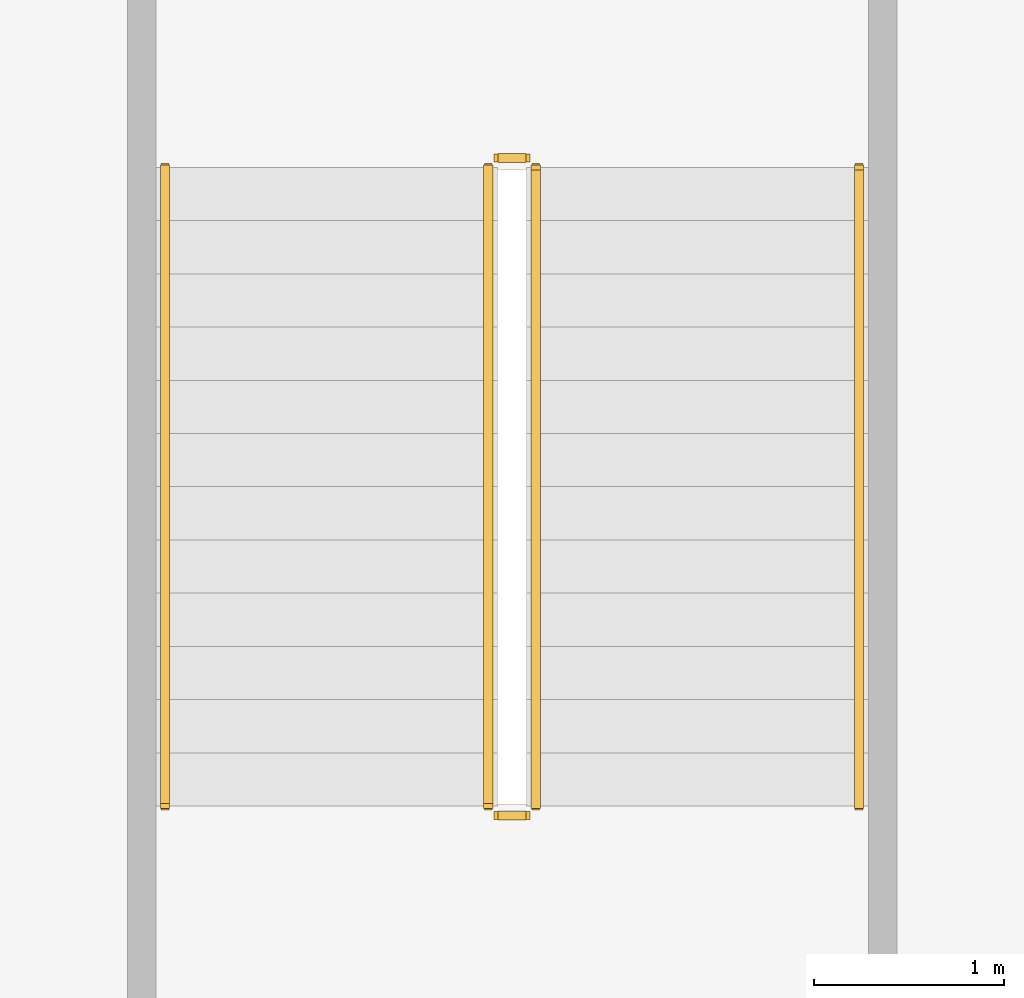
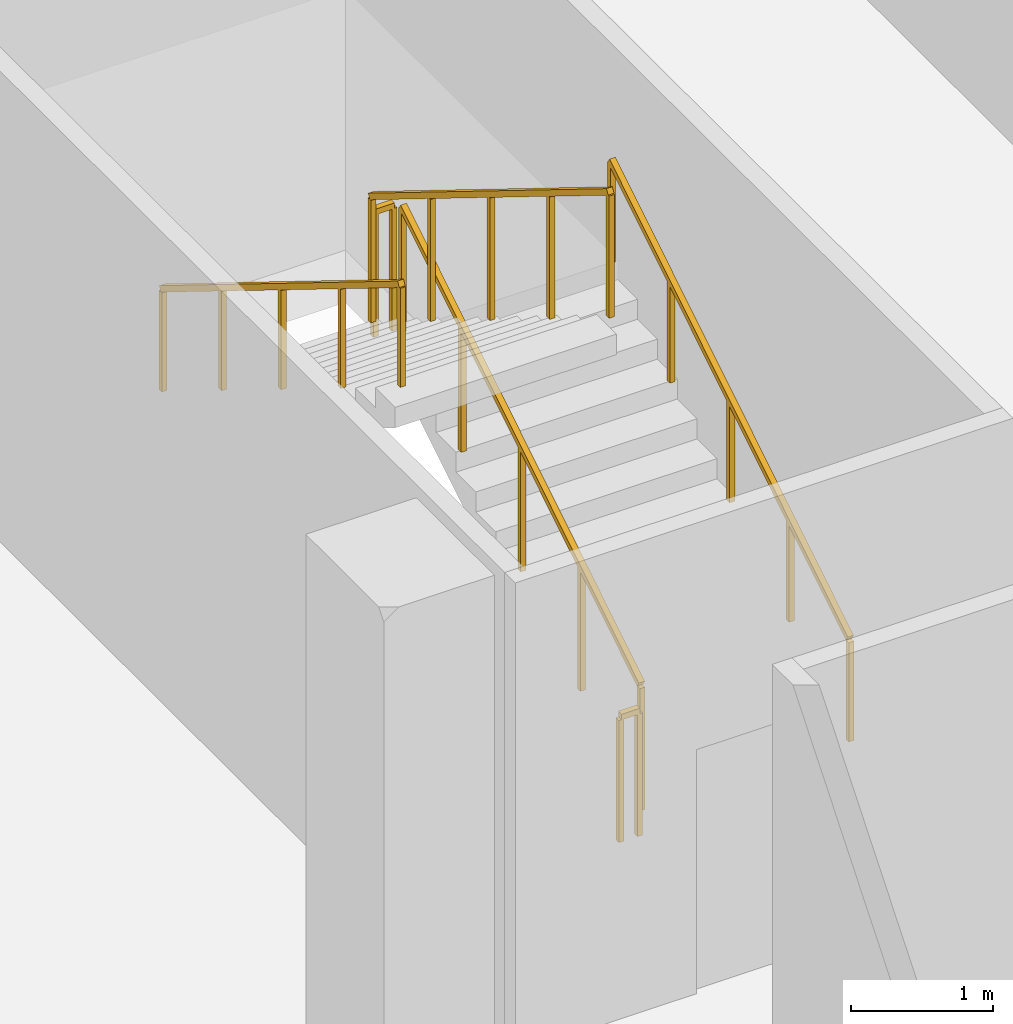
# One storey, part 11 of 14: 6 railings.
"""IFC4 building model written with IfcOpenShell, lengths in metres."""

from ifc_helpers import new_model, si_unit, direction, frame, origin, origin_2d, place, context, subcontext, project, spatial, rectangle, extrude, material, type_object, element, save


model = new_model("IFC4")

# Units and contexts
model_context = context("Model", 3, precision=1e-05, world=origin(), true_north=direction((0.0, 1.0)))
body_context = subcontext(model_context, "Body", "Model", "MODEL_VIEW")
ifc_project = project(units=[si_unit("LENGTHUNIT", "METRE"), si_unit("AREAUNIT", "SQUARE_METRE"), si_unit("VOLUMEUNIT", "CUBIC_METRE"), si_unit("PLANEANGLEUNIT", "RADIAN"), si_unit("MASSUNIT", "GRAM", prefix="KILO")], contexts=[model_context])

# Site, building, storey
site_placement = place(None, origin())
site = spatial("IfcSite", under=ifc_project, at=site_placement, CompositionType="ELEMENT")
building_placement = place(site_placement, origin())
building = spatial("IfcBuilding", under=site, at=building_placement, Name="Alderwake Tower", CompositionType="ELEMENT")
storey_placement = place(building_placement, frame((0.0, 0.0, 23.0)))
storey = spatial("IfcBuildingStorey", under=building, at=storey_placement, Name="L04", CompositionType="ELEMENT", Elevation=23.0)

# Railings
ifc_material_1 = material(Name="Stainless steel guard", Category="steel")
railing_type_1 = type_object("IfcRailingType", Name="Stair guard 1100", PredefinedType="GUARDRAIL", material=ifc_material_1)
railing_1_placement = place(storey_placement, frame((67.0, 25.800048828125, 0.173095703125)))
element("IfcRailing", 1, at=railing_1_placement, inside=storey, type_object=railing_type_1, Name="L04 ST-P4 stair guard 1", PredefinedType="GUARDRAIL", context=body_context, shape_type="SweptSolid", body=[
    extrude(rectangle(XDim=0.048095703125, YDim=0.048095703125, at=origin_2d()), frame((0.0, 0.0, 1.076171875), z_axis=(0.0, 0.850606129759, 0.525803396734), x_axis=(-1.0, 0.0, 0.0)), (0.0, 0.0, 1.0), 3.949951171875),
    extrude(rectangle(XDim=0.0419921875, YDim=0.0419921875, at=origin_2d()), frame((0.0, 0.0, 0.0), z_axis=(0.0, 0.0, 1.0), x_axis=(0.0, 1.0, 0.0)), (0.0, 0.0, 1.0), 1.052001953125),
    extrude(rectangle(XDim=0.0419921875, YDim=0.0419921875, at=origin_2d()), frame((0.0, 0.83984375, 0.519287109375), z_axis=(0.0, 0.0, 1.0), x_axis=(0.0, 1.0, 0.0)), (0.0, 0.0, 1.0), 1.052001953125),
    extrude(rectangle(XDim=0.0419921875, YDim=0.0419921875, at=origin_2d()), frame((0.0, 1.679931640625, 1.03857421875), z_axis=(0.0, 0.0, 1.0), x_axis=(0.0, 1.0, 0.0)), (0.0, 0.0, 1.0), 1.052001953125),
    extrude(rectangle(XDim=0.0419921875, YDim=0.0419921875, at=origin_2d()), frame((0.0, 2.52001953125, 1.5576171875), z_axis=(0.0, 0.0, 1.0), x_axis=(0.0, 1.0, 0.0)), (0.0, 0.0, 1.0), 1.052001953125),
    extrude(rectangle(XDim=0.0419921875, YDim=0.0419921875, at=origin_2d()), frame((0.0, 3.35986328125, 2.076904296875), z_axis=(0.0, 0.0, 1.0), x_axis=(0.0, 1.0, 0.0)), (0.0, 0.0, 1.0), 1.052001953125),
])
railing_2_placement = place(storey_placement, frame((66.949951171875, 29.2099609375, 2.25)))
element("IfcRailing", 2, at=railing_2_placement, inside=storey, type_object=railing_type_1, Name="L04 ST-P4 stair guard 2", PredefinedType="GUARDRAIL", context=body_context, shape_type="SweptSolid", body=[
    extrude(rectangle(XDim=0.048095703125, YDim=0.048095703125, at=origin_2d()), frame((0.0, 0.0, 1.076171875), z_axis=(-1.0, 0.0, 0.0), x_axis=(0.0, -1.0, 0.0)), (0.0, 0.0, 1.0), 0.14990234375),
    extrude(rectangle(XDim=0.0419921875, YDim=0.0419921875, at=origin_2d()), frame((0.0, 0.0, 0.0), z_axis=(0.0, 0.0, 1.0), x_axis=(-1.0, 0.0, 0.0)), (0.0, 0.0, 1.0), 1.052001953125),
    extrude(rectangle(XDim=0.0419921875, YDim=0.0419921875, at=origin_2d()), frame((-0.14990234375, 0.0, 0.0), z_axis=(0.0, 0.0, 1.0), x_axis=(-1.0, 0.0, 0.0)), (0.0, 0.0, 1.0), 1.052001953125),
])
railing_3_placement = place(storey_placement, frame((66.75, 29.159912109375, 2.423095703125)))
element("IfcRailing", 3, at=railing_3_placement, inside=storey, type_object=railing_type_1, Name="L04 ST-P4 stair guard 3", PredefinedType="GUARDRAIL", context=body_context, shape_type="SweptSolid", body=[
    extrude(rectangle(XDim=0.048095703125, YDim=0.048095703125, at=origin_2d()), frame((0.0, 0.0, 1.076171875), z_axis=(0.0, -0.850606129759, 0.525803396734), x_axis=(1.0, 0.0, 0.0)), (0.0, 0.0, 1.0), 3.949951171875),
    extrude(rectangle(XDim=0.0419921875, YDim=0.0419921875, at=origin_2d()), frame((0.0, 0.0, 0.0), z_axis=(0.0, 0.0, 1.0), x_axis=(0.0, -1.0, 0.0)), (0.0, 0.0, 1.0), 1.052001953125),
    extrude(rectangle(XDim=0.0419921875, YDim=0.0419921875, at=origin_2d()), frame((0.0, -0.83984375, 0.519287109375), z_axis=(0.0, 0.0, 1.0), x_axis=(0.0, -1.0, 0.0)), (0.0, 0.0, 1.0), 1.052001953125),
    extrude(rectangle(XDim=0.0419921875, YDim=0.0419921875, at=origin_2d()), frame((0.0, -1.679931640625, 1.03857421875), z_axis=(0.0, 0.0, 1.0), x_axis=(0.0, -1.0, 0.0)), (0.0, 0.0, 1.0), 1.052001953125),
    extrude(rectangle(XDim=0.0419921875, YDim=0.0419921875, at=origin_2d()), frame((0.0, -2.52001953125, 1.5576171875), z_axis=(0.0, 0.0, 1.0), x_axis=(0.0, -1.0, 0.0)), (0.0, 0.0, 1.0), 1.052001953125),
    extrude(rectangle(XDim=0.0419921875, YDim=0.0419921875, at=origin_2d()), frame((0.0, -3.35986328125, 2.076904296875), z_axis=(0.0, 0.0, 1.0), x_axis=(0.0, -1.0, 0.0)), (0.0, 0.0, 1.0), 1.052001953125),
])
railing_4_placement = place(storey_placement, frame((66.949951171875, 25.75, 0.0)))
element("IfcRailing", 4, at=railing_4_placement, inside=storey, type_object=railing_type_1, Name="L04 ST-P4 stair guard 4", PredefinedType="GUARDRAIL", context=body_context, shape_type="SweptSolid", body=[
    extrude(rectangle(XDim=0.048095703125, YDim=0.048095703125, at=origin_2d()), frame((0.0, 0.0, 1.076171875), z_axis=(-1.0, 0.0, 0.0), x_axis=(0.0, -1.0, 0.0)), (0.0, 0.0, 1.0), 0.14990234375),
    extrude(rectangle(XDim=0.0419921875, YDim=0.0419921875, at=origin_2d()), frame((0.0, 0.0, 0.0), z_axis=(0.0, 0.0, 1.0), x_axis=(-1.0, 0.0, 0.0)), (0.0, 0.0, 1.0), 1.052001953125),
    extrude(rectangle(XDim=0.0419921875, YDim=0.0419921875, at=origin_2d()), frame((-0.14990234375, 0.0, 0.0), z_axis=(0.0, 0.0, 1.0), x_axis=(-1.0, 0.0, 0.0)), (0.0, 0.0, 1.0), 1.052001953125),
])
ifc_material_2 = material(Name="Stainless steel handrail", Category="steel")
railing_type_2 = type_object("IfcRailingType", Name="Stair handrail 900", PredefinedType="HANDRAIL", material=ifc_material_2)
railing_5_placement = place(storey_placement, frame((68.699951171875, 25.800048828125, 0.173095703125)))
element("IfcRailing", 5, at=railing_5_placement, inside=storey, type_object=railing_type_2, Name="L04 ST-P4 stair handrail 1", PredefinedType="HANDRAIL", context=body_context, shape_type="SweptSolid", body=[
    extrude(rectangle(XDim=0.048095703125, YDim=0.048095703125, at=origin_2d()), frame((0.0, 0.0, 0.8759765625), z_axis=(0.0, 0.850606129759, 0.525803396734), x_axis=(-1.0, 0.0, 0.0)), (0.0, 0.0, 1.0), 3.949951171875),
    extrude(rectangle(XDim=0.0419921875, YDim=0.0419921875, at=origin_2d()), frame((0.0, 0.0, 0.0), z_axis=(0.0, 0.0, 1.0), x_axis=(0.0, 1.0, 0.0)), (0.0, 0.0, 1.0), 0.851806640625),
    extrude(rectangle(XDim=0.0419921875, YDim=0.0419921875, at=origin_2d()), frame((0.0, 0.83984375, 0.519287109375), z_axis=(0.0, 0.0, 1.0), x_axis=(0.0, 1.0, 0.0)), (0.0, 0.0, 1.0), 0.851806640625),
    extrude(rectangle(XDim=0.0419921875, YDim=0.0419921875, at=origin_2d()), frame((0.0, 1.679931640625, 1.03857421875), z_axis=(0.0, 0.0, 1.0), x_axis=(0.0, 1.0, 0.0)), (0.0, 0.0, 1.0), 0.851806640625),
    extrude(rectangle(XDim=0.0419921875, YDim=0.0419921875, at=origin_2d()), frame((0.0, 2.52001953125, 1.5576171875), z_axis=(0.0, 0.0, 1.0), x_axis=(0.0, 1.0, 0.0)), (0.0, 0.0, 1.0), 0.851806640625),
    extrude(rectangle(XDim=0.0419921875, YDim=0.0419921875, at=origin_2d()), frame((0.0, 3.35986328125, 2.076904296875), z_axis=(0.0, 0.0, 1.0), x_axis=(0.0, 1.0, 0.0)), (0.0, 0.0, 1.0), 0.851806640625),
])
railing_6_placement = place(storey_placement, frame((65.050048828125, 29.159912109375, 2.423095703125)))
element("IfcRailing", 6, at=railing_6_placement, inside=storey, type_object=railing_type_2, Name="L04 ST-P4 stair handrail 2", PredefinedType="HANDRAIL", context=body_context, shape_type="SweptSolid", body=[
    extrude(rectangle(XDim=0.048095703125, YDim=0.048095703125, at=origin_2d()), frame((0.0, 0.0, 0.8759765625), z_axis=(0.0, -0.850606129759, 0.525803396734), x_axis=(1.0, 0.0, 0.0)), (0.0, 0.0, 1.0), 3.949951171875),
    extrude(rectangle(XDim=0.0419921875, YDim=0.0419921875, at=origin_2d()), frame((0.0, 0.0, 0.0), z_axis=(0.0, 0.0, 1.0), x_axis=(0.0, -1.0, 0.0)), (0.0, 0.0, 1.0), 0.851806640625),
    extrude(rectangle(XDim=0.0419921875, YDim=0.0419921875, at=origin_2d()), frame((0.0, -0.83984375, 0.519287109375), z_axis=(0.0, 0.0, 1.0), x_axis=(0.0, -1.0, 0.0)), (0.0, 0.0, 1.0), 0.851806640625),
    extrude(rectangle(XDim=0.0419921875, YDim=0.0419921875, at=origin_2d()), frame((0.0, -1.679931640625, 1.03857421875), z_axis=(0.0, 0.0, 1.0), x_axis=(0.0, -1.0, 0.0)), (0.0, 0.0, 1.0), 0.851806640625),
    extrude(rectangle(XDim=0.0419921875, YDim=0.0419921875, at=origin_2d()), frame((0.0, -2.52001953125, 1.5576171875), z_axis=(0.0, 0.0, 1.0), x_axis=(0.0, -1.0, 0.0)), (0.0, 0.0, 1.0), 0.851806640625),
    extrude(rectangle(XDim=0.0419921875, YDim=0.0419921875, at=origin_2d()), frame((0.0, -3.35986328125, 2.076904296875), z_axis=(0.0, 0.0, 1.0), x_axis=(0.0, -1.0, 0.0)), (0.0, 0.0, 1.0), 0.851806640625),
])

save(model, "model.ifc")
